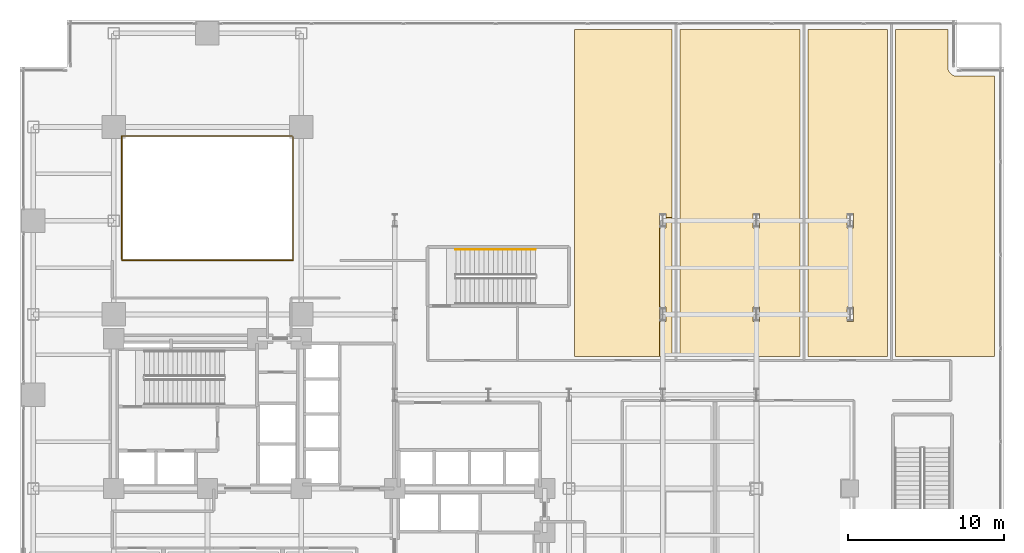
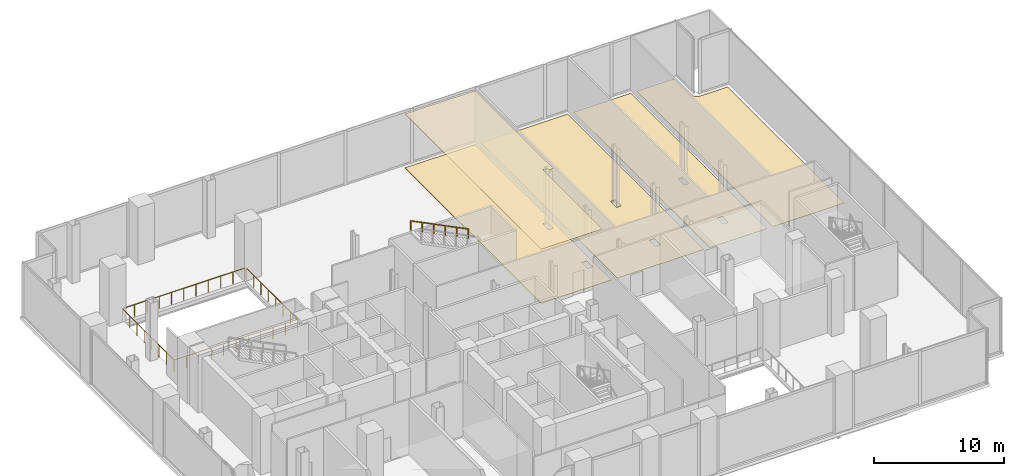
# One storey, part 28 of 28: 5 coverings, 3 railings.
"""IFC4 building model written with IfcOpenShell, lengths in metres."""

from ifc_helpers import new_model, si_unit, direction, frame, origin, origin_2d, place, context, subcontext, project, spatial, polyline, rectangle, outline, extrude, material, layer, layer_set, type_object, element, save


model = new_model("IFC4")

# Units and contexts
model_context = context("Model", 3, precision=1e-05, world=origin(), true_north=direction((0.0, 1.0)))
body_context = subcontext(model_context, "Body", "Model", "MODEL_VIEW")
ifc_project = project(units=[si_unit("LENGTHUNIT", "METRE"), si_unit("AREAUNIT", "SQUARE_METRE"), si_unit("VOLUMEUNIT", "CUBIC_METRE"), si_unit("PLANEANGLEUNIT", "RADIAN"), si_unit("MASSUNIT", "GRAM", prefix="KILO"), si_unit("THERMODYNAMICTEMPERATUREUNIT", "KELVIN"), si_unit("POWERUNIT", "WATT")], contexts=[model_context])

# Site, building, storey
site_placement = place(None, origin())
site = spatial("IfcSite", under=ifc_project, at=site_placement, CompositionType="ELEMENT")
building_placement = place(site_placement, origin())
building = spatial("IfcBuilding", under=site, at=building_placement, Name="Svarakhadi Broadcast Tower", CompositionType="ELEMENT")
storey_placement = place(building_placement, frame((0.0, 0.0, 11.10009765625)))
storey = spatial("IfcBuildingStorey", under=building, at=storey_placement, Name="L02", CompositionType="ELEMENT", Elevation=11.10009765625)

# Coverings
ifc_material_1 = material(Name="Micro-Perforated Mineral Fibre Acoustic Ceiling Tile", Category="mineral_fibre")
ifc_layer_1 = layer(ifc_material_1, 0.02490234375)
ifc_layer_set_1 = layer_set([ifc_layer_1], Name="Micro-Perforated Mineral Fibre Acoustic Ceiling Tile")
covering_type_1 = type_object("IfcCoveringType", Name="Cov_Ceiling_Tile", PredefinedType="CEILING", material=ifc_layer_set_1)
covering_1_placement = place(storey_placement, frame((0.0, 0.0, 5.074951171875)))
element("IfcCovering", 1, at=covering_1_placement, inside=storey, type_object=covering_type_1, Name="L02 L02 Satellite Ingest and Playout Office Acoustic Ceiling", PredefinedType="CEILING", context=body_context, shape_type="SweptSolid", body=[
    extrude(outline(polyline([(41.739990234375, 47.389892578125), (41.739990234375, 35.360107421875), (41.360107421875, 35.360107421875), (41.360107421875, 35.610107421875), (40.93994140625, 35.610107421875), (40.93994140625, 35.360107421875), (40.93994140625, 34.93994140625), (40.93994140625, 34.68994140625), (40.93994140625, 29.610107421875), (40.93994140625, 29.360107421875), (40.93994140625, 28.93994140625), (40.93994140625, 28.68994140625), (40.93994140625, 26.4599609375), (35.510009765625, 26.4599609375), (35.510009765625, 47.389892578125), (41.739990234375, 47.389892578125)])), origin(), (0.0, 0.0, 1.0), 0.02490234375),
])
ifc_material_2 = material(Name="Heavy-Duty Anti-Static Broadcast Raised Access Floor", Category="steel")
ifc_layer_2 = layer(ifc_material_2, 0.050048828125)
ifc_layer_set_2 = layer_set([ifc_layer_2], Name="Heavy-Duty Anti-Static Broadcast Raised Access Floor")
covering_type_2 = type_object("IfcCoveringType", Name="Cov_Floor_Access", PredefinedType="FLOORING", material=ifc_layer_set_2)
covering_2_placement = place(storey_placement, origin())
element("IfcCovering", 2, at=covering_2_placement, inside=storey, type_object=covering_type_2, Name="L02 L02 Satellite Ingest and Playout Office Floor Finish", PredefinedType="FLOORING", context=body_context, shape_type="SweptSolid", body=[
    extrude(outline(polyline([(41.739990234375, 47.389892578125), (41.739990234375, 26.4599609375), (35.510009765625, 26.4599609375), (35.510009765625, 47.389892578125), (41.739990234375, 47.389892578125)]), holes=[polyline([(40.93994140625, 28.68994140625), (41.360107421875, 28.68994140625), (41.360107421875, 29.610107421875), (40.93994140625, 29.610107421875), (40.93994140625, 28.68994140625)]), polyline([(40.93994140625, 34.68994140625), (41.360107421875, 34.68994140625), (41.360107421875, 35.610107421875), (40.93994140625, 35.610107421875), (40.93994140625, 34.68994140625)])]), origin(), (0.0, 0.0, 1.0), 0.0498046875),
])
ifc_material_3 = material(Name="Honed Konkan Basalt Stone Tile Flooring", Category="masonry")
ifc_layer_3 = layer(ifc_material_3, 0.034912109375)
ifc_layer_set_3 = layer_set([ifc_layer_3], Name="Honed Konkan Basalt Stone Tile Flooring")
covering_type_3 = type_object("IfcCoveringType", Name="Cov_Floor_Basalt", PredefinedType="FLOORING", material=ifc_layer_set_3)
covering_3_placement = place(storey_placement, origin())
element("IfcCovering", 3, at=covering_3_placement, inside=storey, type_object=covering_type_3, Name="L02 L02 Editorial Conference Room Floor Finish", PredefinedType="FLOORING", context=body_context, shape_type="SweptSolid", body=[
    extrude(outline(polyline([(49.93994140625, 47.389892578125), (49.93994140625, 26.4599609375), (42.260009765625, 26.4599609375), (42.260009765625, 47.389892578125), (49.93994140625, 47.389892578125)]), holes=[polyline([(46.93994140625, 28.68994140625), (47.360107421875, 28.68994140625), (47.360107421875, 29.610107421875), (46.93994140625, 29.610107421875), (46.93994140625, 28.68994140625)]), polyline([(46.93994140625, 34.68994140625), (47.360107421875, 34.68994140625), (47.360107421875, 35.610107421875), (46.93994140625, 35.610107421875), (46.93994140625, 34.68994140625)])]), origin(), (0.0, 0.0, 1.0), 0.034912109375),
])
covering_4_placement = place(storey_placement, origin())
element("IfcCovering", 4, at=covering_4_placement, inside=storey, type_object=covering_type_3, Name="L02 L02 Broadcast Copy and Archive Store Floor Finish", PredefinedType="FLOORING", context=body_context, shape_type="SweptSolid", body=[
    extrude(outline(polyline([(56.06005859375, 47.389892578125), (59.39990234375, 47.389892578125), (59.39990234375, 45.0), (59.39990234375, 44.990966796875), (59.402099609375, 44.949951171875), (59.404052734375, 44.93310546875), (59.409912109375, 44.89208984375), (59.4130859375, 44.8740234375), (59.423095703125, 44.833984375), (59.428955078125, 44.81689453125), (59.443115234375, 44.778076171875), (59.449951171875, 44.760009765625), (59.468017578125, 44.722900390625), (59.47607421875, 44.708984375), (59.4970703125, 44.674072265625), (59.5048828125, 44.660888671875), (59.529052734375, 44.6279296875), (59.541015625, 44.613037109375), (59.569091796875, 44.58203125), (59.58203125, 44.569091796875), (59.613037109375, 44.541015625), (59.6279296875, 44.529052734375), (59.660888671875, 44.5048828125), (59.674072265625, 44.4970703125), (59.708984375, 44.47607421875), (59.722900390625, 44.468017578125), (59.760009765625, 44.449951171875), (59.778076171875, 44.443115234375), (59.81689453125, 44.428955078125), (59.833984375, 44.423095703125), (59.8740234375, 44.4130859375), (59.89208984375, 44.409912109375), (59.93310546875, 44.404052734375), (59.949951171875, 44.402099609375), (59.990966796875, 44.39990234375), (60.0, 44.39990234375), (62.389892578125, 44.39990234375), (62.389892578125, 26.4599609375), (56.06005859375, 26.4599609375), (56.06005859375, 47.389892578125)])), origin(), (0.0, 0.0, 1.0), 0.034912109375),
])
ifc_material_4 = material(Name="Polished White Marble-Chip Terrazzo Flooring", Category="masonry")
ifc_layer_4 = layer(ifc_material_4, 0.030029296875)
ifc_layer_set_4 = layer_set([ifc_layer_4], Name="Polished White Marble-Chip Terrazzo Flooring")
covering_type_4 = type_object("IfcCoveringType", Name="Cov_Floor_Terrazzo", PredefinedType="FLOORING", material=ifc_layer_set_4)
covering_5_placement = place(storey_placement, origin())
element("IfcCovering", 5, at=covering_5_placement, inside=storey, type_object=covering_type_4, Name="L02 L02 Staff Dining Canteen Floor Finish", PredefinedType="FLOORING", context=body_context, shape_type="SweptSolid", body=[
    extrude(outline(polyline([(55.5400390625, 47.389892578125), (55.5400390625, 26.4599609375), (50.4599609375, 26.4599609375), (50.4599609375, 47.389892578125), (55.5400390625, 47.389892578125)]), holes=[polyline([(52.93994140625, 28.68994140625), (53.360107421875, 28.68994140625), (53.360107421875, 29.610107421875), (52.93994140625, 29.610107421875), (52.93994140625, 28.68994140625)]), polyline([(52.93994140625, 34.68994140625), (53.360107421875, 34.68994140625), (53.360107421875, 35.610107421875), (52.93994140625, 35.610107421875), (52.93994140625, 34.68994140625)])]), origin(), (0.0, 0.0, 1.0), 0.02978515625),
])

# Railings
ifc_material_5 = material(Name="Anodised Bronze Aluminium AA 6063-T6", Category="aluminium")
railing_type_1 = type_object("IfcRailingType", Name="Guard_Void_GR04", PredefinedType="GUARDRAIL", material=ifc_material_5)
railing_1_placement = place(storey_placement, frame((6.52001953125, 32.6201171875, 0.0)))
element("IfcRailing", 6, at=railing_1_placement, inside=storey, type_object=railing_type_1, Name="L02 Broadcast Studio B Void Guard South-East Run GR-04", PredefinedType="GUARDRAIL", context=body_context, shape_type="SweptSolid", body=[
    extrude(rectangle(XDim=0.048095703125, YDim=0.048095703125, at=origin_2d()), frame((0.0, 0.0, 1.1259765625), z_axis=(1.0, 0.0, 0.0), x_axis=(0.0, 1.0, 0.0)), (0.0, 0.0, 1.0), 10.9599609375),
    extrude(rectangle(XDim=0.048095703125, YDim=0.048095703125, at=origin_2d()), frame((10.9599609375, 0.0, 1.1259765625), z_axis=(0.0, 1.0, 0.0), x_axis=(-1.0, 0.0, 0.0)), (0.0, 0.0, 1.0), 7.89990234375),
    extrude(rectangle(XDim=0.0419921875, YDim=0.0419921875, at=origin_2d()), origin(), (0.0, 0.0, 1.0), 1.101806640625),
    extrude(rectangle(XDim=0.0419921875, YDim=0.0419921875, at=origin_2d()), frame((1.095947265625, 0.0, 0.0)), (0.0, 0.0, 1.0), 1.101806640625),
    extrude(rectangle(XDim=0.0419921875, YDim=0.0419921875, at=origin_2d()), frame((2.19189453125, 0.0, 0.0)), (0.0, 0.0, 1.0), 1.101806640625),
    extrude(rectangle(XDim=0.0419921875, YDim=0.0419921875, at=origin_2d()), frame((3.2880859375, 0.0, 0.0)), (0.0, 0.0, 1.0), 1.101806640625),
    extrude(rectangle(XDim=0.0419921875, YDim=0.0419921875, at=origin_2d()), frame((4.384033203125, 0.0, 0.0)), (0.0, 0.0, 1.0), 1.101806640625),
    extrude(rectangle(XDim=0.0419921875, YDim=0.0419921875, at=origin_2d()), frame((5.47998046875, 0.0, 0.0)), (0.0, 0.0, 1.0), 1.101806640625),
    extrude(rectangle(XDim=0.0419921875, YDim=0.0419921875, at=origin_2d()), frame((6.575927734375, 0.0, 0.0)), (0.0, 0.0, 1.0), 1.101806640625),
    extrude(rectangle(XDim=0.0419921875, YDim=0.0419921875, at=origin_2d()), frame((7.671875, 0.0, 0.0)), (0.0, 0.0, 1.0), 1.101806640625),
    extrude(rectangle(XDim=0.0419921875, YDim=0.0419921875, at=origin_2d()), frame((8.76806640625, 0.0, 0.0)), (0.0, 0.0, 1.0), 1.101806640625),
    extrude(rectangle(XDim=0.0419921875, YDim=0.0419921875, at=origin_2d()), frame((9.864013671875, 0.0, 0.0)), (0.0, 0.0, 1.0), 1.101806640625),
    extrude(rectangle(XDim=0.0419921875, YDim=0.0419921875, at=origin_2d()), frame((10.9599609375, 0.0, 0.0)), (0.0, 0.0, 1.0), 1.101806640625),
    extrude(rectangle(XDim=0.0419921875, YDim=0.0419921875, at=origin_2d()), frame((10.9599609375, 1.128662109375, 0.0)), (0.0, 0.0, 1.0), 1.101806640625),
    extrude(rectangle(XDim=0.0419921875, YDim=0.0419921875, at=origin_2d()), frame((10.9599609375, 2.257080078125, 0.0)), (0.0, 0.0, 1.0), 1.101806640625),
    extrude(rectangle(XDim=0.0419921875, YDim=0.0419921875, at=origin_2d()), frame((10.9599609375, 3.3857421875, 0.0)), (0.0, 0.0, 1.0), 1.101806640625),
    extrude(rectangle(XDim=0.0419921875, YDim=0.0419921875, at=origin_2d()), frame((10.9599609375, 4.51416015625, 0.0)), (0.0, 0.0, 1.0), 1.101806640625),
    extrude(rectangle(XDim=0.0419921875, YDim=0.0419921875, at=origin_2d()), frame((10.9599609375, 5.642822265625, 0.0)), (0.0, 0.0, 1.0), 1.101806640625),
    extrude(rectangle(XDim=0.0419921875, YDim=0.0419921875, at=origin_2d()), frame((10.9599609375, 6.771240234375, 0.0)), (0.0, 0.0, 1.0), 1.101806640625),
    extrude(rectangle(XDim=0.0419921875, YDim=0.0419921875, at=origin_2d()), frame((10.9599609375, 7.89990234375, 0.0)), (0.0, 0.0, 1.0), 1.101806640625),
])
railing_2_placement = place(storey_placement, frame((17.419921875, 40.580078125, 0.0)))
element("IfcRailing", 7, at=railing_2_placement, inside=storey, type_object=railing_type_1, Name="L02 Broadcast Studio B Void Guard North-West Run GR-04", PredefinedType="GUARDRAIL", context=body_context, shape_type="SweptSolid", body=[
    extrude(rectangle(XDim=0.048095703125, YDim=0.048095703125, at=origin_2d()), frame((0.0, 0.0, 1.1259765625), z_axis=(-1.0, 0.0, 0.0), x_axis=(0.0, -1.0, 0.0)), (0.0, 0.0, 1.0), 10.89990234375),
    extrude(rectangle(XDim=0.048095703125, YDim=0.048095703125, at=origin_2d()), frame((-10.89990234375, 0.0, 1.1259765625), z_axis=(0.0, -1.0, 0.0), x_axis=(1.0, 0.0, 0.0)), (0.0, 0.0, 1.0), 7.900146484375),
    extrude(rectangle(XDim=0.0419921875, YDim=0.0419921875, at=origin_2d()), origin(), (0.0, 0.0, 1.0), 1.101806640625),
    extrude(rectangle(XDim=0.0419921875, YDim=0.0419921875, at=origin_2d()), frame((-1.090087890625, 0.0, 0.0)), (0.0, 0.0, 1.0), 1.101806640625),
    extrude(rectangle(XDim=0.0419921875, YDim=0.0419921875, at=origin_2d()), frame((-2.179931640625, 0.0, 0.0)), (0.0, 0.0, 1.0), 1.101806640625),
    extrude(rectangle(XDim=0.0419921875, YDim=0.0419921875, at=origin_2d()), frame((-3.27001953125, 0.0, 0.0)), (0.0, 0.0, 1.0), 1.101806640625),
    extrude(rectangle(XDim=0.0419921875, YDim=0.0419921875, at=origin_2d()), frame((-4.35986328125, 0.0, 0.0)), (0.0, 0.0, 1.0), 1.101806640625),
    extrude(rectangle(XDim=0.0419921875, YDim=0.0419921875, at=origin_2d()), frame((-5.449951171875, 0.0, 0.0)), (0.0, 0.0, 1.0), 1.101806640625),
    extrude(rectangle(XDim=0.0419921875, YDim=0.0419921875, at=origin_2d()), frame((-6.5400390625, 0.0, 0.0)), (0.0, 0.0, 1.0), 1.101806640625),
    extrude(rectangle(XDim=0.0419921875, YDim=0.0419921875, at=origin_2d()), frame((-7.6298828125, 0.0, 0.0)), (0.0, 0.0, 1.0), 1.101806640625),
    extrude(rectangle(XDim=0.0419921875, YDim=0.0419921875, at=origin_2d()), frame((-8.719970703125, 0.0, 0.0)), (0.0, 0.0, 1.0), 1.101806640625),
    extrude(rectangle(XDim=0.0419921875, YDim=0.0419921875, at=origin_2d()), frame((-9.809814453125, 0.0, 0.0)), (0.0, 0.0, 1.0), 1.101806640625),
    extrude(rectangle(XDim=0.0419921875, YDim=0.0419921875, at=origin_2d()), frame((-10.89990234375, 0.0, 0.0)), (0.0, 0.0, 1.0), 1.101806640625),
    extrude(rectangle(XDim=0.0419921875, YDim=0.0419921875, at=origin_2d()), frame((-10.89990234375, -1.128662109375, 0.0)), (0.0, 0.0, 1.0), 1.101806640625),
    extrude(rectangle(XDim=0.0419921875, YDim=0.0419921875, at=origin_2d()), frame((-10.89990234375, -2.257080078125, 0.0)), (0.0, 0.0, 1.0), 1.101806640625),
    extrude(rectangle(XDim=0.0419921875, YDim=0.0419921875, at=origin_2d()), frame((-10.89990234375, -3.3857421875, 0.0)), (0.0, 0.0, 1.0), 1.101806640625),
    extrude(rectangle(XDim=0.0419921875, YDim=0.0419921875, at=origin_2d()), frame((-10.89990234375, -4.514404296875, 0.0)), (0.0, 0.0, 1.0), 1.101806640625),
    extrude(rectangle(XDim=0.0419921875, YDim=0.0419921875, at=origin_2d()), frame((-10.89990234375, -5.64306640625, 0.0)), (0.0, 0.0, 1.0), 1.101806640625),
    extrude(rectangle(XDim=0.0419921875, YDim=0.0419921875, at=origin_2d()), frame((-10.89990234375, -6.771484375, 0.0)), (0.0, 0.0, 1.0), 1.101806640625),
    extrude(rectangle(XDim=0.0419921875, YDim=0.0419921875, at=origin_2d()), frame((-10.89990234375, -7.900146484375, 0.0)), (0.0, 0.0, 1.0), 1.101806640625),
])
railing_type_2 = type_object("IfcRailingType", Name="Handrail_Stair_HR01", PredefinedType="HANDRAIL", material=ifc_material_5)
railing_3_placement = place(storey_placement, frame((33.0, 33.31005859375, 2.849853515625)))
element("IfcRailing", 8, at=railing_3_placement, inside=storey, type_object=railing_type_2, Name="L02 ST-03 stair handrail 2", PredefinedType="HANDRAIL", context=body_context, shape_type="SweptSolid", body=[
    extrude(rectangle(XDim=0.048095703125, YDim=0.048095703125, at=origin_2d()), frame((0.0, 0.0, 0.8759765625), z_axis=(-0.894427191, 0.0, 0.4472135955), x_axis=(0.0, -1.0, 0.0)), (0.0, 0.0, 1.0), 5.7021484375),
    extrude(rectangle(XDim=0.0419921875, YDim=0.0419921875, at=origin_2d()), origin(), (0.0, 0.0, 1.0), 0.851806640625),
    extrude(rectangle(XDim=0.0419921875, YDim=0.0419921875, at=origin_2d()), frame((-1.02001953125, 0.0, 0.510009765625)), (0.0, 0.0, 1.0), 0.851806640625),
    extrude(rectangle(XDim=0.0419921875, YDim=0.0419921875, at=origin_2d()), frame((-2.0400390625, 0.0, 1.02001953125)), (0.0, 0.0, 1.0), 0.851806640625),
    extrude(rectangle(XDim=0.0419921875, YDim=0.0419921875, at=origin_2d()), frame((-3.06005859375, 0.0, 1.530029296875)), (0.0, 0.0, 1.0), 0.851806640625),
    extrude(rectangle(XDim=0.0419921875, YDim=0.0419921875, at=origin_2d()), frame((-4.080078125, 0.0, 2.0400390625)), (0.0, 0.0, 1.0), 0.851806640625),
    extrude(rectangle(XDim=0.0419921875, YDim=0.0419921875, at=origin_2d()), frame((-5.10009765625, 0.0, 2.550048828125)), (0.0, 0.0, 1.0), 0.851806640625),
])

save(model, "model.ifc")
